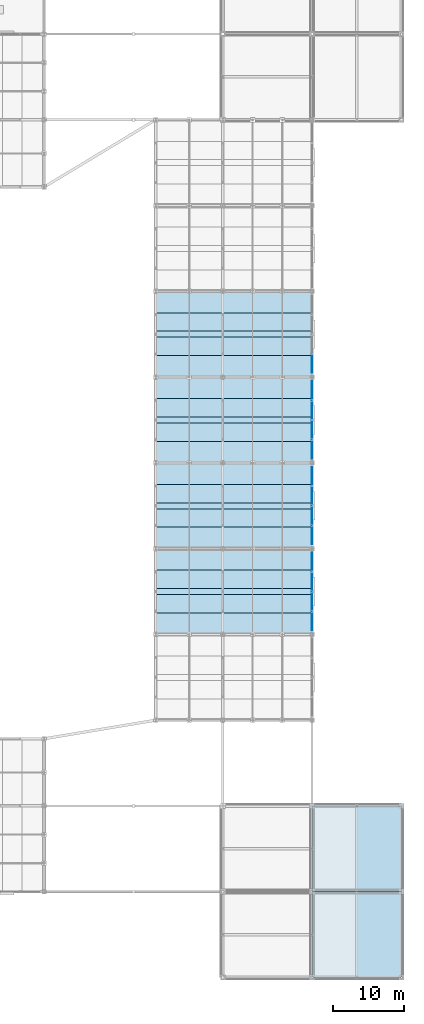
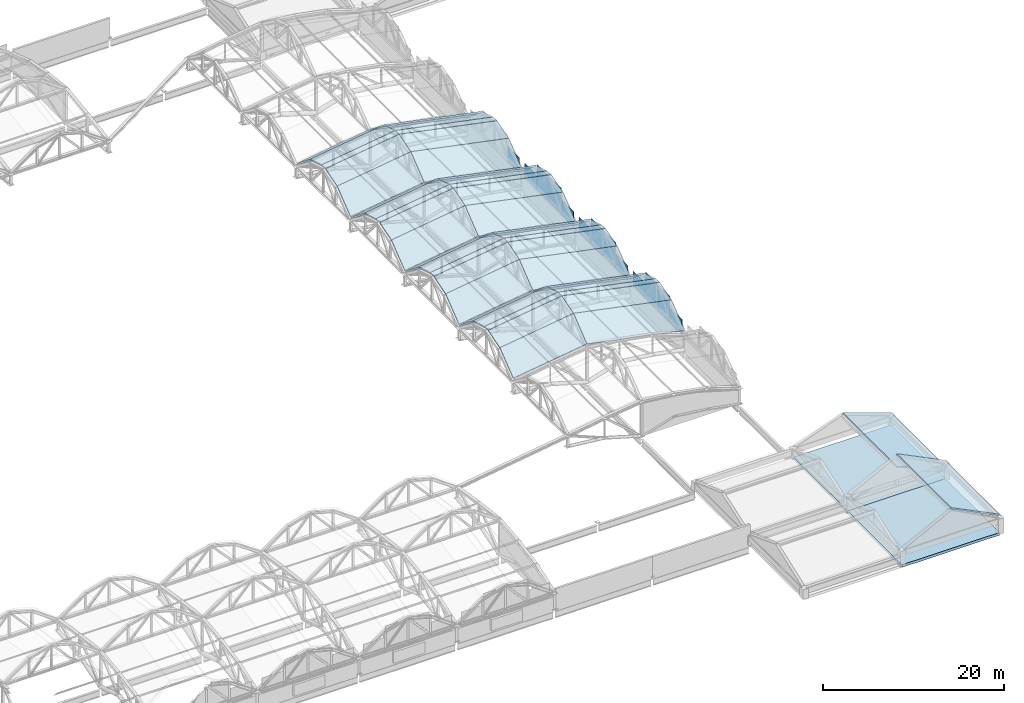
# One storey, part 94 of 117: 36 slabs, 21 plates.
"""IFC4 building model written with IfcOpenShell, lengths in metres."""

from ifc_helpers import new_model, si_unit, direction, frame, origin, origin_2d, place, context, subcontext, project, spatial, polyline, rectangle, outline, extrude, material, layer, layer_set, type_object, element, save


model = new_model("IFC4")

# Units and contexts
model_context = context("Model", 3, precision=1e-05, world=origin(), true_north=direction((0.0, 1.0)))
body_context = subcontext(model_context, "Body", "Model", "MODEL_VIEW")
ifc_project = project(units=[si_unit("LENGTHUNIT", "METRE"), si_unit("AREAUNIT", "SQUARE_METRE"), si_unit("VOLUMEUNIT", "CUBIC_METRE"), si_unit("PLANEANGLEUNIT", "RADIAN"), si_unit("MASSUNIT", "GRAM", prefix="KILO")], contexts=[model_context])

# Site, building, storey
site_placement = place(None, origin())
site = spatial("IfcSite", under=ifc_project, at=site_placement, CompositionType="ELEMENT")
building_placement = place(site_placement, origin())
building = spatial("IfcBuilding", under=site, at=building_placement, Name="Kazenohara Klinker Stadium", CompositionType="ELEMENT")
storey_placement = place(building_placement, frame((0.0, 0.0, 31.199951171875)))
storey = spatial("IfcBuildingStorey", under=building, at=storey_placement, Name="RF", CompositionType="ELEMENT", Elevation=31.199951171875)

# Plates
ifc_material_1 = material(Name="Low-e laminated triple glazing", Category="glass")
ifc_layer_1 = layer(ifc_material_1, 0.0439453125)
ifc_layer_set_1 = layer_set([ifc_layer_1], Name="Low-e laminated triple glazing")
plate_type_1 = type_object("IfcPlateType", Name="PLT-GLZ-CLER", PredefinedType="USERDEFINED", material=ifc_layer_set_1)
plate_1_placement = place(storey_placement, frame((187.5, 61.889892578125, 1.650146484375), z_axis=(0.0, 0.0, 1.0), x_axis=(1.0, 0.0, 0.0)))
element("IfcPlate", 1, at=plate_1_placement, inside=storey, type_object=plate_type_1, Name="Arched barrel clerestory glazing panel CP02 E-02-Q1", ObjectType="CLERESTORY GLAZING", PredefinedType="USERDEFINED", context=body_context, shape_type="SweptSolid", body=[
    extrude(rectangle(XDim=0.0439453125, YDim=2.580078125, at=origin_2d()), origin(), (0.0, 0.0, 1.0), 2.0),
])
for number, where, z_axis, x_axis, name in (
    (2, (187.5, 64.6201171875, 1.650146484375), (0.0, 0.0, 1.0), (1.0, 0.0, 0.0), "Arched barrel clerestory glazing panel CP02 E-02-Q2"),
    (3, (187.5, 67.3798828125, 1.650146484375), (0.0, 0.0, 1.0), (1.0, 0.0, 0.0), "Arched barrel clerestory glazing panel CP02 E-02-Q3"),
):
    element("IfcPlate", number, at=place(storey_placement, frame(where, z_axis=z_axis, x_axis=x_axis)), inside=storey, type_object=plate_type_1, Name=name, ObjectType="CLERESTORY GLAZING", PredefinedType="USERDEFINED", context=body_context, shape_type="SweptSolid", body=[
        extrude(rectangle(XDim=0.0439453125, YDim=2.639892578125, at=origin_2d()), origin(), (0.0, 0.0, 1.0), 3.5),
    ])
for number, where, z_axis, x_axis, name in (
    (4, (187.5, 70.110107421875, 1.650146484375), (0.0, 0.0, 1.0), (1.0, 0.0, 0.0), "Arched barrel clerestory glazing panel CP02 E-02-Q4"),
    (5, (187.5, 73.889892578125, 1.650146484375), (0.0, 0.0, 1.0), (1.0, 0.0, 0.0), "Arched barrel clerestory glazing panel CP02 E-03-Q1"),
):
    element("IfcPlate", number, at=place(storey_placement, frame(where, z_axis=z_axis, x_axis=x_axis)), inside=storey, type_object=plate_type_1, Name=name, ObjectType="CLERESTORY GLAZING", PredefinedType="USERDEFINED", context=body_context, shape_type="SweptSolid", body=[
        extrude(rectangle(XDim=0.0439453125, YDim=2.580078125, at=origin_2d()), origin(), (0.0, 0.0, 1.0), 2.0),
    ])
for number, where, z_axis, x_axis, name in (
    (6, (187.5, 76.6201171875, 1.650146484375), (0.0, 0.0, 1.0), (1.0, 0.0, 0.0), "Arched barrel clerestory glazing panel CP02 E-03-Q2"),
    (7, (187.5, 79.3798828125, 1.650146484375), (0.0, 0.0, 1.0), (1.0, 0.0, 0.0), "Arched barrel clerestory glazing panel CP02 E-03-Q3"),
):
    element("IfcPlate", number, at=place(storey_placement, frame(where, z_axis=z_axis, x_axis=x_axis)), inside=storey, type_object=plate_type_1, Name=name, ObjectType="CLERESTORY GLAZING", PredefinedType="USERDEFINED", context=body_context, shape_type="SweptSolid", body=[
        extrude(rectangle(XDim=0.0439453125, YDim=2.639892578125, at=origin_2d()), origin(), (0.0, 0.0, 1.0), 3.5),
    ])
for number, where, z_axis, x_axis, name in (
    (8, (187.5, 82.110107421875, 1.650146484375), (0.0, 0.0, 1.0), (1.0, 0.0, 0.0), "Arched barrel clerestory glazing panel CP02 E-03-Q4"),
    (9, (187.5, 85.889892578125, 1.650146484375), (0.0, 0.0, 1.0), (1.0, 0.0, 0.0), "Arched barrel clerestory glazing panel CP02 E-04-Q1"),
):
    element("IfcPlate", number, at=place(storey_placement, frame(where, z_axis=z_axis, x_axis=x_axis)), inside=storey, type_object=plate_type_1, Name=name, ObjectType="CLERESTORY GLAZING", PredefinedType="USERDEFINED", context=body_context, shape_type="SweptSolid", body=[
        extrude(rectangle(XDim=0.0439453125, YDim=2.580078125, at=origin_2d()), origin(), (0.0, 0.0, 1.0), 2.0),
    ])
for number, where, z_axis, x_axis, name in (
    (10, (187.5, 88.6201171875, 1.650146484375), (0.0, 0.0, 1.0), (1.0, 0.0, 0.0), "Arched barrel clerestory glazing panel CP02 E-04-Q2"),
    (11, (187.5, 91.3798828125, 1.650146484375), (0.0, 0.0, 1.0), (1.0, 0.0, 0.0), "Arched barrel clerestory glazing panel CP02 E-04-Q3"),
):
    element("IfcPlate", number, at=place(storey_placement, frame(where, z_axis=z_axis, x_axis=x_axis)), inside=storey, type_object=plate_type_1, Name=name, ObjectType="CLERESTORY GLAZING", PredefinedType="USERDEFINED", context=body_context, shape_type="SweptSolid", body=[
        extrude(rectangle(XDim=0.0439453125, YDim=2.639892578125, at=origin_2d()), origin(), (0.0, 0.0, 1.0), 3.5),
    ])
for number, where, z_axis, x_axis, name in (
    (12, (187.5, 94.110107421875, 1.650146484375), (0.0, 0.0, 1.0), (1.0, 0.0, 0.0), "Arched barrel clerestory glazing panel CP02 E-04-Q4"),
    (13, (187.5, 97.889892578125, 1.650146484375), (0.0, 0.0, 1.0), (1.0, 0.0, 0.0), "Arched barrel clerestory glazing panel CP02 E-05-Q1"),
):
    element("IfcPlate", number, at=place(storey_placement, frame(where, z_axis=z_axis, x_axis=x_axis)), inside=storey, type_object=plate_type_1, Name=name, ObjectType="CLERESTORY GLAZING", PredefinedType="USERDEFINED", context=body_context, shape_type="SweptSolid", body=[
        extrude(rectangle(XDim=0.0439453125, YDim=2.580078125, at=origin_2d()), origin(), (0.0, 0.0, 1.0), 2.0),
    ])
ifc_material_2 = material(Name="Low-e laminated skylight triple glazing", Category="glass")
ifc_layer_2 = layer(ifc_material_2, 0.048095703125)
ifc_layer_set_2 = layer_set([ifc_layer_2], Name="Low-e laminated skylight triple glazing")
plate_type_2 = type_object("IfcPlateType", Name="PLT-GLZ-VALLEY", PredefinedType="USERDEFINED", material=ifc_layer_set_2)
plate_2_placement = place(storey_placement, frame((187.5, 65.580078125, 5.670166015625), z_axis=(0.199868526152, 0.0, 0.979822724912), x_axis=(-0.979822724912, 0.0, 0.199868526152)))
element("IfcPlate", 14, at=plate_2_placement, inside=storey, type_object=plate_type_2, Name="Barrel-shell valley skylight glazing joint SKG1 E-02-OUT", ObjectType="SKYLIGHT GLAZING", PredefinedType="USERDEFINED", context=body_context, shape_type="SweptSolid", body=[
    extrude(outline(polyline([(0.0, 0.0), (12.757409766265132, 0.0), (12.757409766265132, -0.8398437500000002), (0.0, -0.8398437500000002), (0.0, 0.0)])), origin(), (0.0, 0.0, -1.0), 0.048095703125),
])
plate_3_placement = place(storey_placement, frame((175.0, 65.580078125, 8.219970703125), z_axis=(-0.142144768244, 0.0, 0.989845879347), x_axis=(-0.989845879347, 0.0, -0.142144768244)))
element("IfcPlate", 15, at=plate_3_placement, inside=storey, type_object=plate_type_2, Name="Barrel-shell valley skylight glazing joint SKG1 E-02-IN", ObjectType="SKYLIGHT GLAZING", PredefinedType="USERDEFINED", context=body_context, shape_type="SweptSolid", body=[
    extrude(outline(polyline([(0.0, 0.0), (9.496329216369972, 0.0), (9.496329216369972, -0.83984375), (0.0, -0.83984375), (0.0, 0.0)])), origin(), (0.0, 0.0, -1.0), 0.048095703125),
])
plate_4_placement = place(storey_placement, frame((187.5, 77.580078125, 5.670166015625), z_axis=(0.199868526152, 0.0, 0.979822724912), x_axis=(-0.979822724912, 0.0, 0.199868526152)))
element("IfcPlate", 16, at=plate_4_placement, inside=storey, type_object=plate_type_2, Name="Barrel-shell valley skylight glazing joint SKG1 E-03-OUT", ObjectType="SKYLIGHT GLAZING", PredefinedType="USERDEFINED", context=body_context, shape_type="SweptSolid", body=[
    extrude(outline(polyline([(0.0, 0.0), (12.757409766265132, 0.0), (12.757409766265132, -0.8398437500000002), (0.0, -0.8398437500000002), (0.0, 0.0)])), origin(), (0.0, 0.0, -1.0), 0.048095703125),
])
plate_5_placement = place(storey_placement, frame((175.0, 77.580078125, 8.219970703125), z_axis=(-0.142144768244, 0.0, 0.989845879347), x_axis=(-0.989845879347, 0.0, -0.142144768244)))
element("IfcPlate", 17, at=plate_5_placement, inside=storey, type_object=plate_type_2, Name="Barrel-shell valley skylight glazing joint SKG1 E-03-IN", ObjectType="SKYLIGHT GLAZING", PredefinedType="USERDEFINED", context=body_context, shape_type="SweptSolid", body=[
    extrude(outline(polyline([(0.0, 0.0), (9.496329216369972, 0.0), (9.496329216369972, -0.83984375), (0.0, -0.83984375), (0.0, 0.0)])), origin(), (0.0, 0.0, -1.0), 0.048095703125),
])
plate_6_placement = place(storey_placement, frame((187.5, 89.580078125, 5.670166015625), z_axis=(0.199868526152, 0.0, 0.979822724912), x_axis=(-0.979822724912, 0.0, 0.199868526152)))
element("IfcPlate", 18, at=plate_6_placement, inside=storey, type_object=plate_type_2, Name="Barrel-shell valley skylight glazing joint SKG1 E-04-OUT", ObjectType="SKYLIGHT GLAZING", PredefinedType="USERDEFINED", context=body_context, shape_type="SweptSolid", body=[
    extrude(outline(polyline([(0.0, 0.0), (12.757409766265132, 0.0), (12.757409766265132, -0.8398437500000002), (0.0, -0.8398437500000002), (0.0, 0.0)])), origin(), (0.0, 0.0, -1.0), 0.048095703125),
])
plate_7_placement = place(storey_placement, frame((175.0, 89.580078125, 8.219970703125), z_axis=(-0.142144768244, 0.0, 0.989845879347), x_axis=(-0.989845879347, 0.0, -0.142144768244)))
element("IfcPlate", 19, at=plate_7_placement, inside=storey, type_object=plate_type_2, Name="Barrel-shell valley skylight glazing joint SKG1 E-04-IN", ObjectType="SKYLIGHT GLAZING", PredefinedType="USERDEFINED", context=body_context, shape_type="SweptSolid", body=[
    extrude(outline(polyline([(0.0, 0.0), (9.496329216369972, 0.0), (9.496329216369972, -0.83984375), (0.0, -0.83984375), (0.0, 0.0)])), origin(), (0.0, 0.0, -1.0), 0.048095703125),
])
plate_8_placement = place(storey_placement, frame((187.5, 101.580078125, 5.670166015625), z_axis=(0.199868526152, 0.0, 0.979822724912), x_axis=(-0.979822724912, 0.0, 0.199868526152)))
element("IfcPlate", 20, at=plate_8_placement, inside=storey, type_object=plate_type_2, Name="Barrel-shell valley skylight glazing joint SKG1 E-05-OUT", ObjectType="SKYLIGHT GLAZING", PredefinedType="USERDEFINED", context=body_context, shape_type="SweptSolid", body=[
    extrude(outline(polyline([(0.0, 0.0), (12.757409766265132, 0.0), (12.757409766265132, -0.8398437500000002), (0.0, -0.8398437500000002), (0.0, 0.0)])), origin(), (0.0, 0.0, -1.0), 0.048095703125),
])
plate_9_placement = place(storey_placement, frame((175.0, 101.580078125, 8.219970703125), z_axis=(-0.142144768244, 0.0, 0.989845879347), x_axis=(-0.989845879347, 0.0, -0.142144768244)))
element("IfcPlate", 21, at=plate_9_placement, inside=storey, type_object=plate_type_2, Name="Barrel-shell valley skylight glazing joint SKG1 E-05-IN", ObjectType="SKYLIGHT GLAZING", PredefinedType="USERDEFINED", context=body_context, shape_type="SweptSolid", body=[
    extrude(outline(polyline([(0.0, 0.0), (9.496329216369972, 0.0), (9.496329216369972, -0.83984375), (0.0, -0.83984375), (0.0, 0.0)])), origin(), (0.0, 0.0, -1.0), 0.048095703125),
])

# Slabs
ifc_material_3 = material(Name="Steel S355", Category="steel")
ifc_layer_3 = layer(ifc_material_3, 0.18994140625)
ifc_layer_set_3 = layer_set([ifc_layer_3], Name="Steel S355")
slab_type_1 = type_object("IfcSlabType", Name="SLB-ROOF-190", PredefinedType="ROOF", material=ifc_layer_set_3)
slab_1_placement = place(storey_placement, frame((193.804931640625, 12.0, 5.52001953125), z_axis=(0.441703727171, 0.0, 0.897160976304), x_axis=(0.897160976304, 0.0, -0.441703727171)))
element("IfcSlab", 22, at=slab_1_placement, inside=storey, type_object=slab_type_1, Name="Pitched turret crown roof slab RS03 GT4-SE-B", PredefinedType="ROOF", context=body_context, shape_type="SweptSolid", body=[
    extrude(outline(polyline([(0.0, 0.0), (6.905191513004975, 0.0), (6.905191513004975, 12.0), (0.0, 12.0), (0.0, 0.0)])), origin(), (0.0, 0.0, -1.0), 0.18994140625),
])
slab_2_placement = place(storey_placement, frame((193.804931640625, 24.0, 3.820068359375), z_axis=(0.327853404288, 0.0, 0.944728609335), x_axis=(0.944728609335, 0.0, -0.327853404288)))
element("IfcSlab", 23, at=slab_2_placement, inside=storey, type_object=slab_type_1, Name="Pitched turret crown roof slab RS03 GT4-NE-B", PredefinedType="ROOF", context=body_context, shape_type="SweptSolid", body=[
    extrude(outline(polyline([(0.0, 0.0), (6.557511118175173, 0.0), (6.557511118175173, 12.0), (0.0, 12.0), (0.0, 0.0)])), origin(), (0.0, 0.0, -1.0), 0.18994140625),
])
slab_3_placement = place(storey_placement, frame((187.5, 60.06005859375, 2.51806640625), z_axis=(0.157314226472, -0.616932337274, 0.771133403099), x_axis=(-0.979818977014, 0.0, 0.199886898729)))
element("IfcSlab", 24, at=slab_3_placement, inside=storey, type_object=slab_type_1, Name="Scalloped barrel-arch canopy slab E-02 outer strip 1", PredefinedType="ROOF", context=body_context, shape_type="SweptSolid", body=[
    extrude(outline(polyline([(0.0, 0.0), (12.757458564534776, 0.0), (13.227602700851302, -3.7355538867548352), (0.47014413631652474, -3.7355538867548352), (0.0, 0.0)])), origin(), (0.0, 0.0, -1.0), 0.18994140625),
])
slab_4_placement = place(storey_placement, frame((175.0, 60.06005859375, 5.068115234375), z_axis=(-0.111454741468, -0.620818608848, 0.775991040871), x_axis=(-0.989842261755, 0.0, -0.1421699576)))
element("IfcSlab", 25, at=slab_4_placement, inside=storey, type_object=slab_type_1, Name="Scalloped barrel-arch canopy slab E-02 inner strip 1", PredefinedType="ROOF", context=body_context, shape_type="SweptSolid", body=[
    extrude(outline(polyline([(0.0, 0.0), (9.496363922757409, 0.0), (9.16197296291469, -3.750144135328325), (-0.33439095984271777, -3.750144135328325), (0.0, 0.0)])), origin(), (0.0, 0.0, -1.0), 0.18994140625),
])
slab_5_placement = place(storey_placement, frame((187.5, 63.0, 4.8701171875), z_axis=(0.191468362766, -0.28701019737, 0.93859736451), x_axis=(-0.979820696633, 2.577642e-06, 0.199878469184)))
element("IfcSlab", 26, at=slab_5_placement, inside=storey, type_object=slab_type_1, Name="Scalloped barrel-arch canopy slab E-02 outer strip 2", PredefinedType="ROOF", context=body_context, shape_type="SweptSolid", body=[
    extrude(outline(polyline([(0.0, 0.0), (12.757458564020277, 0.0), (12.91732904362879, -2.730826108913155), (0.15991927806290396, -2.7308947656607114), (0.0, 0.0)])), origin(), (0.0, 0.0, -1.0), 0.18994140625),
])
slab_6_placement = place(storey_placement, frame((175.0, 63.0, 7.420166015625), z_axis=(-0.136061259308, -0.289700944037, 0.947396800047), x_axis=(-0.989843918815, -3.528048e-06, -0.142158419982)))
element("IfcSlab", 27, at=slab_6_placement, inside=storey, type_object=slab_type_1, Name="Scalloped barrel-arch canopy slab E-02 inner strip 2", PredefinedType="ROOF", context=body_context, shape_type="SweptSolid", body=[
    extrude(outline(polyline([(0.0, 0.0), (9.49636392205321, 0.0), (9.382621015480932, -2.733207446859171), (-0.11370819992677195, -2.733137437523795), (0.0, 0.0)])), origin(), (0.0, 0.0, -1.0), 0.18994140625),
])
slab_7_placement = place(storey_placement, frame((187.5, 66.384033203125, 5.670166015625), z_axis=(0.191468362766, 0.28701019737, 0.93859736451), x_axis=(-0.979821005365, 2.577652e-06, 0.199876955745)))
element("IfcSlab", 28, at=slab_7_placement, inside=storey, type_object=slab_type_1, Name="Scalloped barrel-arch canopy slab E-02 outer strip 3", PredefinedType="ROOF", context=body_context, shape_type="SweptSolid", body=[
    extrude(outline(polyline([(0.0, 0.0), (12.757409765750632, 1.1102230246251565e-16), (12.597553982673135, -2.7308269692510176), (-0.1599045811623955, -2.7308956262611925), (0.0, 0.0)])), origin(), (0.0, 0.0, -1.0), 0.18994140625),
])
slab_8_placement = place(storey_placement, frame((175.0, 66.384033203125, 8.219970703125), z_axis=(-0.136061259308, 0.289700944037, 0.947396800047), x_axis=(-0.989844222428, -3.528061e-06, -0.142156305924)))
element("IfcSlab", 29, at=slab_8_placement, inside=storey, type_object=slab_type_1, Name="Scalloped barrel-arch canopy slab E-02 inner strip 3", PredefinedType="ROOF", context=body_context, shape_type="SweptSolid", body=[
    extrude(outline(polyline([(0.0, 0.0), (9.496329215665769, -1.1102230246251565e-16), (9.61005197233993, -2.7332082853263064), (0.11368805054478547, -2.7331382757350666), (0.0, 0.0)])), origin(), (0.0, 0.0, -1.0), 0.18994140625),
])
slab_9_placement = place(storey_placement, frame((187.5, 69.0, 4.8701171875), z_axis=(0.157314226472, 0.616932337274, 0.771133403099), x_axis=(-0.979818977014, 0.0, 0.199886898729)))
element("IfcSlab", 30, at=slab_9_placement, inside=storey, type_object=slab_type_1, Name="Scalloped barrel-arch canopy slab E-02 outer strip 4", PredefinedType="ROOF", context=body_context, shape_type="SweptSolid", body=[
    extrude(outline(polyline([(0.0, 0.0), (12.757458564534776, 0.0), (12.287314428218252, -3.7355538867548352), (-0.47014413631652474, -3.7355538867548352), (0.0, 0.0)])), origin(), (0.0, 0.0, -1.0), 0.18994140625),
])
slab_10_placement = place(storey_placement, frame((175.0, 69.0, 7.420166015625), z_axis=(-0.111454741468, 0.620818608848, 0.775991040871), x_axis=(-0.989842261755, 0.0, -0.1421699576)))
element("IfcSlab", 31, at=slab_10_placement, inside=storey, type_object=slab_type_1, Name="Scalloped barrel-arch canopy slab E-02 inner strip 4", PredefinedType="ROOF", context=body_context, shape_type="SweptSolid", body=[
    extrude(outline(polyline([(0.0, 0.0), (9.496363922757409, 0.0), (9.830754882600127, -3.750144135328325), (0.33439095984271777, -3.750144135328325), (0.0, 0.0)])), origin(), (0.0, 0.0, -1.0), 0.18994140625),
])
slab_11_placement = place(storey_placement, frame((187.5, 72.06005859375, 2.51806640625), z_axis=(0.157314226472, -0.616932337274, 0.771133403099), x_axis=(-0.979818977014, 0.0, 0.199886898729)))
element("IfcSlab", 32, at=slab_11_placement, inside=storey, type_object=slab_type_1, Name="Scalloped barrel-arch canopy slab E-03 outer strip 1", PredefinedType="ROOF", context=body_context, shape_type="SweptSolid", body=[
    extrude(outline(polyline([(0.0, 0.0), (12.757458564534776, 0.0), (13.227602700851302, -3.7355538867548352), (0.47014413631652474, -3.7355538867548352), (0.0, 0.0)])), origin(), (0.0, 0.0, -1.0), 0.18994140625),
])
slab_12_placement = place(storey_placement, frame((175.0, 72.06005859375, 5.068115234375), z_axis=(-0.111454741468, -0.620818608848, 0.775991040871), x_axis=(-0.989842261755, 0.0, -0.1421699576)))
element("IfcSlab", 33, at=slab_12_placement, inside=storey, type_object=slab_type_1, Name="Scalloped barrel-arch canopy slab E-03 inner strip 1", PredefinedType="ROOF", context=body_context, shape_type="SweptSolid", body=[
    extrude(outline(polyline([(0.0, 0.0), (9.496363922757409, 0.0), (9.16197296291469, -3.750144135328325), (-0.33439095984271777, -3.750144135328325), (0.0, 0.0)])), origin(), (0.0, 0.0, -1.0), 0.18994140625),
])
slab_13_placement = place(storey_placement, frame((187.5, 75.0, 4.8701171875), z_axis=(0.191468362766, -0.28701019737, 0.93859736451), x_axis=(-0.979820696633, 2.577642e-06, 0.199878469184)))
element("IfcSlab", 34, at=slab_13_placement, inside=storey, type_object=slab_type_1, Name="Scalloped barrel-arch canopy slab E-03 outer strip 2", PredefinedType="ROOF", context=body_context, shape_type="SweptSolid", body=[
    extrude(outline(polyline([(0.0, 0.0), (12.757458564020277, 0.0), (12.91732904362879, -2.730826108913155), (0.15991927806290396, -2.7308947656607114), (0.0, 0.0)])), origin(), (0.0, 0.0, -1.0), 0.18994140625),
])
slab_14_placement = place(storey_placement, frame((175.0, 75.0, 7.420166015625), z_axis=(-0.136061259308, -0.289700944037, 0.947396800047), x_axis=(-0.989843918815, -3.528048e-06, -0.142158419982)))
element("IfcSlab", 35, at=slab_14_placement, inside=storey, type_object=slab_type_1, Name="Scalloped barrel-arch canopy slab E-03 inner strip 2", PredefinedType="ROOF", context=body_context, shape_type="SweptSolid", body=[
    extrude(outline(polyline([(0.0, 0.0), (9.49636392205321, 0.0), (9.382621015480932, -2.733207446859171), (-0.11370819992677195, -2.733137437523795), (0.0, 0.0)])), origin(), (0.0, 0.0, -1.0), 0.18994140625),
])
slab_15_placement = place(storey_placement, frame((187.5, 78.384033203125, 5.670166015625), z_axis=(0.191468362766, 0.28701019737, 0.93859736451), x_axis=(-0.979821005365, 2.577652e-06, 0.199876955745)))
element("IfcSlab", 36, at=slab_15_placement, inside=storey, type_object=slab_type_1, Name="Scalloped barrel-arch canopy slab E-03 outer strip 3", PredefinedType="ROOF", context=body_context, shape_type="SweptSolid", body=[
    extrude(outline(polyline([(0.0, 0.0), (12.757409765750632, 1.1102230246251565e-16), (12.597553982673135, -2.7308269692510176), (-0.1599045811623955, -2.7308956262611925), (0.0, 0.0)])), origin(), (0.0, 0.0, -1.0), 0.18994140625),
])
slab_16_placement = place(storey_placement, frame((175.0, 78.384033203125, 8.219970703125), z_axis=(-0.136061259308, 0.289700944037, 0.947396800047), x_axis=(-0.989844222428, -3.528061e-06, -0.142156305924)))
element("IfcSlab", 37, at=slab_16_placement, inside=storey, type_object=slab_type_1, Name="Scalloped barrel-arch canopy slab E-03 inner strip 3", PredefinedType="ROOF", context=body_context, shape_type="SweptSolid", body=[
    extrude(outline(polyline([(0.0, 0.0), (9.496329215665769, -1.1102230246251565e-16), (9.61005197233993, -2.7332082853263064), (0.11368805054478547, -2.7331382757350666), (0.0, 0.0)])), origin(), (0.0, 0.0, -1.0), 0.18994140625),
])
slab_17_placement = place(storey_placement, frame((187.5, 81.0, 4.8701171875), z_axis=(0.157314226472, 0.616932337274, 0.771133403099), x_axis=(-0.979818977014, 0.0, 0.199886898729)))
element("IfcSlab", 38, at=slab_17_placement, inside=storey, type_object=slab_type_1, Name="Scalloped barrel-arch canopy slab E-03 outer strip 4", PredefinedType="ROOF", context=body_context, shape_type="SweptSolid", body=[
    extrude(outline(polyline([(0.0, 0.0), (12.757458564534776, 0.0), (12.287314428218252, -3.7355538867548352), (-0.47014413631652474, -3.7355538867548352), (0.0, 0.0)])), origin(), (0.0, 0.0, -1.0), 0.18994140625),
])
slab_18_placement = place(storey_placement, frame((175.0, 81.0, 7.420166015625), z_axis=(-0.111454741468, 0.620818608848, 0.775991040871), x_axis=(-0.989842261755, 0.0, -0.1421699576)))
element("IfcSlab", 39, at=slab_18_placement, inside=storey, type_object=slab_type_1, Name="Scalloped barrel-arch canopy slab E-03 inner strip 4", PredefinedType="ROOF", context=body_context, shape_type="SweptSolid", body=[
    extrude(outline(polyline([(0.0, 0.0), (9.496363922757409, 0.0), (9.830754882600127, -3.750144135328325), (0.33439095984271777, -3.750144135328325), (0.0, 0.0)])), origin(), (0.0, 0.0, -1.0), 0.18994140625),
])
slab_19_placement = place(storey_placement, frame((187.5, 84.06005859375, 2.51806640625), z_axis=(0.157314226472, -0.616932337274, 0.771133403099), x_axis=(-0.979818977014, 0.0, 0.199886898729)))
element("IfcSlab", 40, at=slab_19_placement, inside=storey, type_object=slab_type_1, Name="Scalloped barrel-arch canopy slab E-04 outer strip 1", PredefinedType="ROOF", context=body_context, shape_type="SweptSolid", body=[
    extrude(outline(polyline([(0.0, 0.0), (12.757458564534776, 0.0), (13.227602700851302, -3.7355538867548352), (0.47014413631652474, -3.7355538867548352), (0.0, 0.0)])), origin(), (0.0, 0.0, -1.0), 0.18994140625),
])
slab_20_placement = place(storey_placement, frame((175.0, 84.06005859375, 5.068115234375), z_axis=(-0.111454741468, -0.620818608848, 0.775991040871), x_axis=(-0.989842261755, 0.0, -0.1421699576)))
element("IfcSlab", 41, at=slab_20_placement, inside=storey, type_object=slab_type_1, Name="Scalloped barrel-arch canopy slab E-04 inner strip 1", PredefinedType="ROOF", context=body_context, shape_type="SweptSolid", body=[
    extrude(outline(polyline([(0.0, 0.0), (9.496363922757409, 0.0), (9.16197296291469, -3.750144135328325), (-0.33439095984271777, -3.750144135328325), (0.0, 0.0)])), origin(), (0.0, 0.0, -1.0), 0.18994140625),
])
slab_21_placement = place(storey_placement, frame((187.5, 87.0, 4.8701171875), z_axis=(0.191468362766, -0.28701019737, 0.93859736451), x_axis=(-0.979820696633, 2.577642e-06, 0.199878469184)))
element("IfcSlab", 42, at=slab_21_placement, inside=storey, type_object=slab_type_1, Name="Scalloped barrel-arch canopy slab E-04 outer strip 2", PredefinedType="ROOF", context=body_context, shape_type="SweptSolid", body=[
    extrude(outline(polyline([(0.0, 0.0), (12.757458564020277, 0.0), (12.91732904362879, -2.730826108913155), (0.15991927806290396, -2.7308947656607114), (0.0, 0.0)])), origin(), (0.0, 0.0, -1.0), 0.18994140625),
])
slab_22_placement = place(storey_placement, frame((175.0, 87.0, 7.420166015625), z_axis=(-0.136061259308, -0.289700944037, 0.947396800047), x_axis=(-0.989843918815, -3.528048e-06, -0.142158419982)))
element("IfcSlab", 43, at=slab_22_placement, inside=storey, type_object=slab_type_1, Name="Scalloped barrel-arch canopy slab E-04 inner strip 2", PredefinedType="ROOF", context=body_context, shape_type="SweptSolid", body=[
    extrude(outline(polyline([(0.0, 0.0), (9.49636392205321, 0.0), (9.382621015480932, -2.733207446859171), (-0.11370819992677195, -2.733137437523795), (0.0, 0.0)])), origin(), (0.0, 0.0, -1.0), 0.18994140625),
])
slab_23_placement = place(storey_placement, frame((187.5, 90.384033203125, 5.670166015625), z_axis=(0.191468362766, 0.28701019737, 0.93859736451), x_axis=(-0.979821005365, 2.577652e-06, 0.199876955745)))
element("IfcSlab", 44, at=slab_23_placement, inside=storey, type_object=slab_type_1, Name="Scalloped barrel-arch canopy slab E-04 outer strip 3", PredefinedType="ROOF", context=body_context, shape_type="SweptSolid", body=[
    extrude(outline(polyline([(0.0, 0.0), (12.757409765750632, 1.1102230246251565e-16), (12.597553982673135, -2.7308269692510176), (-0.1599045811623955, -2.7308956262611925), (0.0, 0.0)])), origin(), (0.0, 0.0, -1.0), 0.18994140625),
])
slab_24_placement = place(storey_placement, frame((175.0, 90.384033203125, 8.219970703125), z_axis=(-0.136061259308, 0.289700944037, 0.947396800047), x_axis=(-0.989844222428, -3.528061e-06, -0.142156305924)))
element("IfcSlab", 45, at=slab_24_placement, inside=storey, type_object=slab_type_1, Name="Scalloped barrel-arch canopy slab E-04 inner strip 3", PredefinedType="ROOF", context=body_context, shape_type="SweptSolid", body=[
    extrude(outline(polyline([(0.0, 0.0), (9.496329215665769, -1.1102230246251565e-16), (9.61005197233993, -2.7332082853263064), (0.11368805054478547, -2.7331382757350666), (0.0, 0.0)])), origin(), (0.0, 0.0, -1.0), 0.18994140625),
])
slab_25_placement = place(storey_placement, frame((187.5, 93.0, 4.8701171875), z_axis=(0.157314226472, 0.616932337274, 0.771133403099), x_axis=(-0.979818977014, 0.0, 0.199886898729)))
element("IfcSlab", 46, at=slab_25_placement, inside=storey, type_object=slab_type_1, Name="Scalloped barrel-arch canopy slab E-04 outer strip 4", PredefinedType="ROOF", context=body_context, shape_type="SweptSolid", body=[
    extrude(outline(polyline([(0.0, 0.0), (12.757458564534776, 0.0), (12.287314428218252, -3.7355538867548352), (-0.47014413631652474, -3.7355538867548352), (0.0, 0.0)])), origin(), (0.0, 0.0, -1.0), 0.18994140625),
])
slab_26_placement = place(storey_placement, frame((175.0, 93.0, 7.420166015625), z_axis=(-0.111454741468, 0.620818608848, 0.775991040871), x_axis=(-0.989842261755, 0.0, -0.1421699576)))
element("IfcSlab", 47, at=slab_26_placement, inside=storey, type_object=slab_type_1, Name="Scalloped barrel-arch canopy slab E-04 inner strip 4", PredefinedType="ROOF", context=body_context, shape_type="SweptSolid", body=[
    extrude(outline(polyline([(0.0, 0.0), (9.496363922757409, 0.0), (9.830754882600127, -3.750144135328325), (0.33439095984271777, -3.750144135328325), (0.0, 0.0)])), origin(), (0.0, 0.0, -1.0), 0.18994140625),
])
slab_27_placement = place(storey_placement, frame((187.5, 96.06005859375, 2.51806640625), z_axis=(0.157314226472, -0.616932337274, 0.771133403099), x_axis=(-0.979818977014, 0.0, 0.199886898729)))
element("IfcSlab", 48, at=slab_27_placement, inside=storey, type_object=slab_type_1, Name="Scalloped barrel-arch canopy slab E-05 outer strip 1", PredefinedType="ROOF", context=body_context, shape_type="SweptSolid", body=[
    extrude(outline(polyline([(0.0, 0.0), (12.757458564534776, 0.0), (13.227602700851302, -3.7355538867548352), (0.47014413631652474, -3.7355538867548352), (0.0, 0.0)])), origin(), (0.0, 0.0, -1.0), 0.18994140625),
])
slab_28_placement = place(storey_placement, frame((175.0, 96.06005859375, 5.068115234375), z_axis=(-0.111454741468, -0.620818608848, 0.775991040871), x_axis=(-0.989842261755, 0.0, -0.1421699576)))
element("IfcSlab", 49, at=slab_28_placement, inside=storey, type_object=slab_type_1, Name="Scalloped barrel-arch canopy slab E-05 inner strip 1", PredefinedType="ROOF", context=body_context, shape_type="SweptSolid", body=[
    extrude(outline(polyline([(0.0, 0.0), (9.496363922757409, 0.0), (9.16197296291469, -3.750144135328325), (-0.33439095984271777, -3.750144135328325), (0.0, 0.0)])), origin(), (0.0, 0.0, -1.0), 0.18994140625),
])
slab_29_placement = place(storey_placement, frame((187.5, 99.0, 4.8701171875), z_axis=(0.191468362766, -0.28701019737, 0.93859736451), x_axis=(-0.979820696633, 2.577642e-06, 0.199878469184)))
element("IfcSlab", 50, at=slab_29_placement, inside=storey, type_object=slab_type_1, Name="Scalloped barrel-arch canopy slab E-05 outer strip 2", PredefinedType="ROOF", context=body_context, shape_type="SweptSolid", body=[
    extrude(outline(polyline([(0.0, 0.0), (12.757458564020277, 0.0), (12.91732904362879, -2.730826108913155), (0.15991927806290396, -2.7308947656607114), (0.0, 0.0)])), origin(), (0.0, 0.0, -1.0), 0.18994140625),
])
slab_30_placement = place(storey_placement, frame((175.0, 99.0, 7.420166015625), z_axis=(-0.136061259308, -0.289700944037, 0.947396800047), x_axis=(-0.989843918815, -3.528048e-06, -0.142158419982)))
element("IfcSlab", 51, at=slab_30_placement, inside=storey, type_object=slab_type_1, Name="Scalloped barrel-arch canopy slab E-05 inner strip 2", PredefinedType="ROOF", context=body_context, shape_type="SweptSolid", body=[
    extrude(outline(polyline([(0.0, 0.0), (9.49636392205321, 0.0), (9.382621015480932, -2.733207446859171), (-0.11370819992677195, -2.733137437523795), (0.0, 0.0)])), origin(), (0.0, 0.0, -1.0), 0.18994140625),
])
slab_31_placement = place(storey_placement, frame((187.5, 102.384033203125, 5.670166015625), z_axis=(0.191468362766, 0.28701019737, 0.93859736451), x_axis=(-0.979821005365, 2.577652e-06, 0.199876955745)))
element("IfcSlab", 52, at=slab_31_placement, inside=storey, type_object=slab_type_1, Name="Scalloped barrel-arch canopy slab E-05 outer strip 3", PredefinedType="ROOF", context=body_context, shape_type="SweptSolid", body=[
    extrude(outline(polyline([(0.0, 0.0), (12.757409765750632, 1.1102230246251565e-16), (12.597553982673135, -2.7308269692510176), (-0.1599045811623955, -2.7308956262611925), (0.0, 0.0)])), origin(), (0.0, 0.0, -1.0), 0.18994140625),
])
slab_32_placement = place(storey_placement, frame((175.0, 102.384033203125, 8.219970703125), z_axis=(-0.136061259308, 0.289700944037, 0.947396800047), x_axis=(-0.989844222428, -3.528061e-06, -0.142156305924)))
element("IfcSlab", 53, at=slab_32_placement, inside=storey, type_object=slab_type_1, Name="Scalloped barrel-arch canopy slab E-05 inner strip 3", PredefinedType="ROOF", context=body_context, shape_type="SweptSolid", body=[
    extrude(outline(polyline([(0.0, 0.0), (9.496329215665769, -1.1102230246251565e-16), (9.61005197233993, -2.7332082853263064), (0.11368805054478547, -2.7331382757350666), (0.0, 0.0)])), origin(), (0.0, 0.0, -1.0), 0.18994140625),
])
slab_33_placement = place(storey_placement, frame((187.5, 105.0, 4.8701171875), z_axis=(0.157314226472, 0.616932337274, 0.771133403099), x_axis=(-0.979818977014, 0.0, 0.199886898729)))
element("IfcSlab", 54, at=slab_33_placement, inside=storey, type_object=slab_type_1, Name="Scalloped barrel-arch canopy slab E-05 outer strip 4", PredefinedType="ROOF", context=body_context, shape_type="SweptSolid", body=[
    extrude(outline(polyline([(0.0, 0.0), (12.757458564534776, 0.0), (12.287314428218252, -3.7355538867548352), (-0.47014413631652474, -3.7355538867548352), (0.0, 0.0)])), origin(), (0.0, 0.0, -1.0), 0.18994140625),
])
slab_34_placement = place(storey_placement, frame((175.0, 105.0, 7.420166015625), z_axis=(-0.111454741468, 0.620818608848, 0.775991040871), x_axis=(-0.989842261755, 0.0, -0.1421699576)))
element("IfcSlab", 55, at=slab_34_placement, inside=storey, type_object=slab_type_1, Name="Scalloped barrel-arch canopy slab E-05 inner strip 4", PredefinedType="ROOF", context=body_context, shape_type="SweptSolid", body=[
    extrude(outline(polyline([(0.0, 0.0), (9.496363922757409, 0.0), (9.830754882600127, -3.750144135328325), (0.33439095984271777, -3.750144135328325), (0.0, 0.0)])), origin(), (0.0, 0.0, -1.0), 0.18994140625),
])
ifc_material_4 = material(Name="Concrete C40/50", Category="concrete")
ifc_layer_4 = layer(ifc_material_4, 0.360107421875)
ifc_layer_set_4 = layer_set([ifc_layer_4], Name="Concrete C40/50")
slab_type_2 = type_object("IfcSlabType", Name="SLB-ROOF-360", PredefinedType="ROOF", material=ifc_layer_set_4)
slab_35_placement = place(storey_placement, frame((0.0, 0.0, -0.35986328125)))
element("IfcSlab", 56, at=slab_35_placement, inside=storey, type_object=slab_type_2, Name="Main roof deck slab RS01 RF 16/B", PredefinedType="ROOF", context=body_context, shape_type="SweptSolid", body=[
    extrude(outline(polyline([(187.5, 12.0), (200.0, 12.0), (200.0, 24.0), (187.5, 24.0), (187.5, 12.0)])), origin(), (0.0, 0.0, 1.0), 0.35986328125),
])
slab_36_placement = place(storey_placement, frame((0.0, 0.0, -0.35986328125)))
element("IfcSlab", 57, at=slab_36_placement, inside=storey, type_object=slab_type_2, Name="Main roof deck slab RS01 RF 16/C", PredefinedType="ROOF", context=body_context, shape_type="SweptSolid", body=[
    extrude(outline(polyline([(187.5, 24.0), (200.0, 24.0), (200.0, 36.0), (187.5, 36.0), (187.5, 24.0)])), origin(), (0.0, 0.0, 1.0), 0.35986328125),
])

save(model, "model.ifc")
